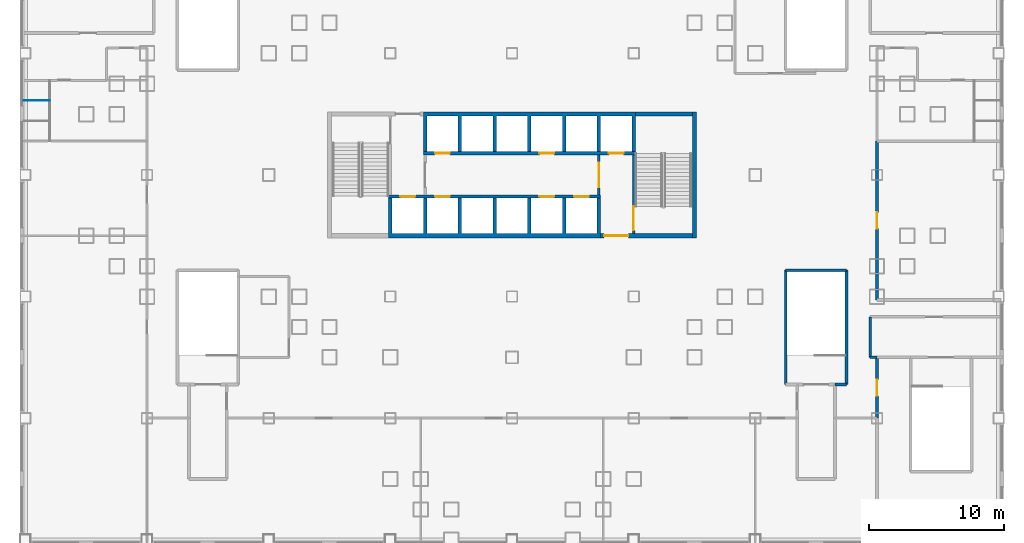
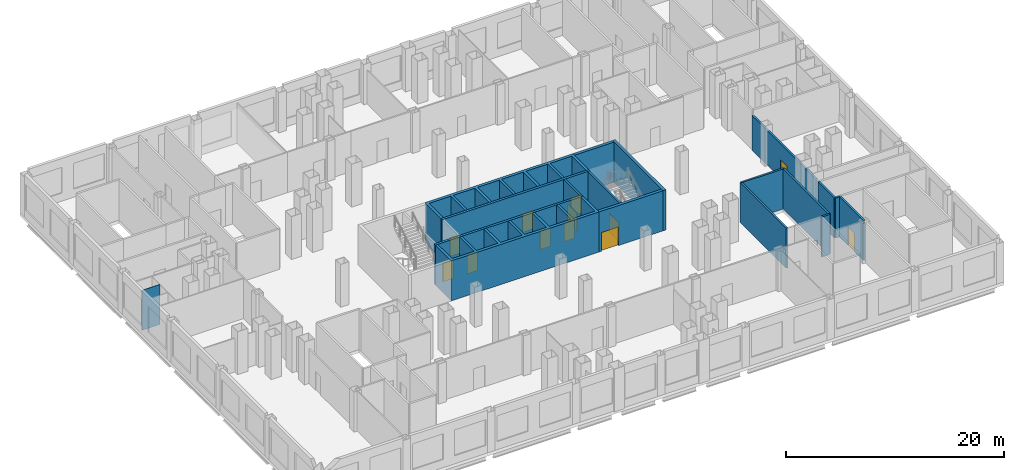
# One storey, part 4 of 13: 18 walls, 12 doors, 12 openings.
"""IFC4 building model written with IfcOpenShell, lengths in metres."""

from ifc_helpers import new_model, si_unit, direction, frame, frame_2d, origin, place, context, subcontext, project, spatial, polyline, rectangle, outline, extrude, material, layer, layer_set, type_object, element, fill, save


model = new_model("IFC4")

# Units and contexts
model_context = context("Model", 3, precision=1e-05, world=origin(), true_north=direction((0.0, 1.0)))
body_context = subcontext(model_context, "Body", "Model", "MODEL_VIEW")
ifc_project = project(units=[si_unit("LENGTHUNIT", "METRE"), si_unit("AREAUNIT", "SQUARE_METRE"), si_unit("VOLUMEUNIT", "CUBIC_METRE"), si_unit("PLANEANGLEUNIT", "RADIAN"), si_unit("MASSUNIT", "GRAM", prefix="KILO")], contexts=[model_context])

# Site, building, storey
site_placement = place(None, origin())
site = spatial("IfcSite", under=ifc_project, at=site_placement, CompositionType="ELEMENT")
building_placement = place(site_placement, origin())
building = spatial("IfcBuilding", under=site, at=building_placement, Name="Caravel Reach Hotel and Residences", CompositionType="ELEMENT")
storey_placement = place(building_placement, frame((0.0, 0.0, 28.800048828125)))
storey = spatial("IfcBuildingStorey", under=building, at=storey_placement, Name="L05", CompositionType="ELEMENT", Elevation=28.800048828125)

# Walls
ifc_material_1 = material(Name="Autoclaved aerated block wall")
ifc_layer_1 = layer(ifc_material_1, 0.199951171875)
ifc_layer_set_1 = layer_set([ifc_layer_1], Name="Compartment wall 200 mm EI 120")
wall_type_1 = type_object("IfcWallType", Name="Compartment wall 200 mm EI 120", PredefinedType="PARTITIONING", material=ifc_layer_set_1)
wall_1_placement = place(storey_placement, frame((58.0, 13.5, 0.0), z_axis=(0.0, 0.0, 1.0), x_axis=(1.0, 0.0, 0.0)))
element("IfcWall", 1, at=wall_1_placement, inside=storey, type_object=wall_type_1, Name="L05 wall w044", PredefinedType="PARTITIONING", context=body_context, shape_type="SweptSolid", body=[
    extrude(rectangle(XDim=0.5, YDim=0.199951171875, at=frame_2d((0.25, 0.0))), origin(), (0.0, 0.0, 1.0), 4.5),
])
wall_2_placement = place(storey_placement, frame((58.0, 13.5, 0.0), z_axis=(0.0, 0.0, 1.0), x_axis=(0.0, 1.0, 0.0)))
element("IfcWall", 2, at=wall_2_placement, inside=storey, type_object=wall_type_1, Name="L05 wall w075", PredefinedType="PARTITIONING", context=body_context, shape_type="SweptSolid", body=[
    extrude(rectangle(XDim=3.0, YDim=0.199951171875, at=frame_2d((1.5, 0.0))), origin(), (0.0, 0.0, 1.0), 4.5),
])

# Wall, opening, door
wall_3_placement = place(storey_placement, frame((58.5, 9.0, 0.0), z_axis=(0.0, 0.0, 1.0), x_axis=(0.0, 1.0, 0.0)))
wall_3 = element("IfcWall", 3, at=wall_3_placement, inside=storey, type_object=wall_type_1, Name="L05 wall w076", PredefinedType="PARTITIONING", context=body_context, shape_type="SweptSolid", body=[
    extrude(rectangle(XDim=4.5, YDim=0.199951171875, at=frame_2d((2.25, 0.0))), origin(), (0.0, 0.0, 1.0), 4.5),
])
opening_1_placement = place(wall_3_placement, frame((1.64990234375, 0.0, 0.0)))
opening_1 = element("IfcOpeningElement", 4, at=opening_1_placement, cuts=wall_3, Name="Opening D05-033", PredefinedType="OPENING", context=body_context, shape_type="SweptSolid", body=[
    extrude(rectangle(XDim=1.199951171875, YDim=2.10009765625, at=frame_2d((0.60009765625, 1.050048828125))), frame((0.0, 0.10986328125, 0.0), z_axis=(0.0, -1.0, 0.0), x_axis=(1.0, 0.0, 0.0)), (0.0, 0.0, 1.0), 0.219970703125),
])
ifc_material_2 = material(Name="Steel fire door leaf", Category="steel")
door_type_1 = type_object("IfcDoorType", Name="Plant room door 1200 x 2100 EI 60", OperationType="SINGLE_SWING_LEFT", PredefinedType="DOOR", material=ifc_material_2)
door_1_placement = place(opening_1_placement, origin())
door_1 = element("IfcDoor", 5, at=door_1_placement, inside=storey, type_object=door_type_1, Name="door D05-033", OperationType="SINGLE_SWING_LEFT", OverallHeight=2.10009765625, OverallWidth=1.199951171875, PredefinedType="DOOR", context=body_context, shape_type="SweptSolid", body=[
    extrude(rectangle(XDim=1.199951171875, YDim=2.10009765625, at=frame_2d((0.60009765625, 1.050048828125))), frame((0.0, 0.02490234375, 0.0), z_axis=(0.0, -1.0, 0.0), x_axis=(1.0, 0.0, 0.0)), (0.0, 0.0, 1.0), 0.050048828125),
])
fill(opening_1, door_1)

wall_4_placement = place(storey_placement, frame((58.5, 17.75, 0.0), z_axis=(0.0, 0.0, 1.0), x_axis=(0.0, 1.0, 0.0)))
wall_4 = element("IfcWall", 6, at=wall_4_placement, inside=storey, type_object=wall_type_1, Name="L05 wall w078", PredefinedType="PARTITIONING", context=body_context, shape_type="SweptSolid", body=[
    extrude(rectangle(XDim=11.75, YDim=0.199951171875, at=frame_2d((5.875, 0.0))), origin(), (0.0, 0.0, 1.0), 3.8798828125),
])
opening_2_placement = place(wall_4_placement, frame((5.27490234375, 0.0, 0.0)))
opening_2 = element("IfcOpeningElement", 7, at=opening_2_placement, cuts=wall_4, Name="Opening D05-034", PredefinedType="OPENING", context=body_context, shape_type="SweptSolid", body=[
    extrude(rectangle(XDim=1.199951171875, YDim=2.10009765625, at=frame_2d((0.60009765625, 1.050048828125))), frame((0.0, 0.10986328125, 0.0), z_axis=(0.0, -1.0, 0.0), x_axis=(1.0, 0.0, 0.0)), (0.0, 0.0, 1.0), 0.219970703125),
])
door_2_placement = place(opening_2_placement, origin())
door_2 = element("IfcDoor", 8, at=door_2_placement, inside=storey, type_object=door_type_1, Name="door D05-034", OperationType="SINGLE_SWING_LEFT", OverallHeight=2.10009765625, OverallWidth=1.199951171875, PredefinedType="DOOR", context=body_context, shape_type="SweptSolid", body=[
    extrude(rectangle(XDim=1.199951171875, YDim=2.10009765625, at=frame_2d((0.60009765625, 1.050048828125))), frame((0.0, 0.02490234375, 0.0), z_axis=(0.0, -1.0, 0.0), x_axis=(1.0, 0.0, 0.0)), (0.0, 0.0, 1.0), 0.050048828125),
])
fill(opening_2, door_2)

ifc_material_3 = material(Name="Concrete C60", Category="concrete")
ifc_layer_2 = layer(ifc_material_3, 0.300048828125)
ifc_layer_set_2 = layer_set([ifc_layer_2], Name="Core wall 300 mm EI 120")
wall_type_2 = type_object("IfcWallType", Name="Core wall 300 mm EI 120", PredefinedType="SHEAR", material=ifc_layer_set_2)
wall_5_placement = place(storey_placement, frame((38.053466796875, 22.5, 0.0), z_axis=(0.0, 0.0, 1.0), x_axis=(1.0, 0.0, 0.0)))
wall_5 = element("IfcWall", 9, at=wall_5_placement, inside=storey, type_object=wall_type_2, Name="L05 core wall S2", PredefinedType="SHEAR", context=body_context, shape_type="SweptSolid", body=[
    extrude(rectangle(XDim=6.796630859375, YDim=0.300048828125, at=frame_2d((3.3984375, 0.0))), origin(), (0.0, 0.0, 1.0), 4.5),
])
opening_3_placement = place(wall_5_placement, frame((0.2607421875, 0.0, 0.0)))
opening_3 = element("IfcOpeningElement", 10, at=opening_3_placement, cuts=wall_5, Name="Opening D05-013", PredefinedType="OPENING", context=body_context, shape_type="SweptSolid", body=[
    extrude(rectangle(XDim=1.800048828125, YDim=2.10009765625, at=frame_2d((0.89990234375, 1.050048828125))), frame((0.0, 0.159912109375, 0.0), z_axis=(0.0, -1.0, 0.0), x_axis=(1.0, 0.0, 0.0)), (0.0, 0.0, 1.0), 0.320068359375),
])
ifc_material_4 = material(Name="Steel fire door leaf", Category="steel")
door_type_2 = type_object("IfcDoorType", Name="Fire lobby door pair 1800 x 2100 EI 90", OperationType="DOUBLE_DOOR_SINGLE_SWING", PredefinedType="DOOR", material=ifc_material_4)
door_3_placement = place(opening_3_placement, origin())
door_3 = element("IfcDoor", 11, at=door_3_placement, inside=storey, type_object=door_type_2, Name="lobby S door pair to corridor", OperationType="DOUBLE_DOOR_SINGLE_SWING", OverallHeight=2.10009765625, OverallWidth=1.800048828125, PredefinedType="DOOR", context=body_context, shape_type="SweptSolid", body=[
    extrude(rectangle(XDim=1.800048828125, YDim=2.10009765625, at=frame_2d((0.89990234375, 1.050048828125))), frame((0.0, 0.02490234375, 0.0), z_axis=(0.0, -1.0, 0.0), x_axis=(1.0, 0.0, 0.0)), (0.0, 0.0, 1.0), 0.050048828125),
])
fill(opening_3, door_3)

# Walls
wall_6_placement = place(storey_placement, frame((40.625, 31.5, 0.0), z_axis=(0.0, 0.0, 1.0), x_axis=(1.0, 0.0, 0.0)))
element("IfcWall", 12, at=wall_6_placement, inside=storey, type_object=wall_type_2, Name="L05 core wall N2", PredefinedType="SHEAR", context=body_context, shape_type="SweptSolid", body=[
    extrude(rectangle(XDim=4.22509765625, YDim=0.300048828125, at=frame_2d((2.112548828125, 0.0))), origin(), (0.0, 0.0, 1.0), 4.5),
])
wall_7_placement = place(storey_placement, frame((45.0, 22.35009765625, 0.0), z_axis=(0.0, 0.0, 1.0), x_axis=(0.0, 1.0, 0.0)))
element("IfcWall", 13, at=wall_7_placement, inside=storey, type_object=wall_type_2, Name="L05 core wall E", PredefinedType="SHEAR", context=body_context, shape_type="SweptSolid", body=[
    extrude(rectangle(XDim=9.2998046875, YDim=0.300048828125, at=frame_2d((4.64990234375, 0.0))), origin(), (0.0, 0.0, 1.0), 4.5),
])

# Wall, opening, door
ifc_material_5 = material(Name="Autoclaved aerated block wall")
ifc_layer_3 = layer(ifc_material_5, 0.199951171875)
ifc_layer_set_3 = layer_set([ifc_layer_3], Name="Fire lobby wall 200 mm EI 120")
wall_type_3 = type_object("IfcWallType", Name="Fire lobby wall 200 mm EI 120", PredefinedType="PARTITIONING", material=ifc_layer_set_3)
wall_8_placement = place(storey_placement, frame((37.928466796875, 25.52490234375, 0.0), z_axis=(0.0, 0.0, 1.0), x_axis=(0.0, 1.0, 0.0)))
wall_8 = element("IfcWall", 14, at=wall_8_placement, inside=storey, type_object=wall_type_3, Name="L05 lobby E wall", PredefinedType="PARTITIONING", context=body_context, shape_type="SweptSolid", body=[
    extrude(rectangle(XDim=2.9501953125, YDim=0.199951171875, at=frame_2d((1.47509765625, 0.0))), origin(), (0.0, 0.0, 1.0), 4.5),
])
opening_4_placement = place(wall_8_placement, frame((0.574951171875, 0.0, 0.0)))
opening_4 = element("IfcOpeningElement", 15, at=opening_4_placement, cuts=wall_8, Name="Opening D05-011", PredefinedType="OPENING", context=body_context, shape_type="SweptSolid", body=[
    extrude(rectangle(XDim=1.800048828125, YDim=2.10009765625, at=frame_2d((0.89990234375, 1.050048828125))), frame((0.0, 0.10986328125, 0.0), z_axis=(0.0, -1.0, 0.0), x_axis=(1.0, 0.0, 0.0)), (0.0, 0.0, 1.0), 0.219970703125),
])
door_4_placement = place(opening_4_placement, origin())
door_4 = element("IfcDoor", 16, at=door_4_placement, inside=storey, type_object=door_type_2, Name="lobby E door pair", OperationType="DOUBLE_DOOR_SINGLE_SWING", OverallHeight=2.10009765625, OverallWidth=1.800048828125, PredefinedType="DOOR", context=body_context, shape_type="SweptSolid", body=[
    extrude(rectangle(XDim=1.800048828125, YDim=2.10009765625, at=frame_2d((0.89990234375, 1.050048828125))), frame((0.0, 0.02490234375, 0.0), z_axis=(0.0, -1.0, 0.0), x_axis=(1.0, 0.0, 0.0)), (0.0, 0.0, 1.0), 0.050048828125),
])
fill(opening_4, door_4)

# Walls
ifc_material_6 = material(Name="Concrete C60", Category="concrete")
ifc_layer_4 = layer(ifc_material_6, 0.25)
ifc_layer_set_4 = layer_set([ifc_layer_4], Name="Shaft wall 250 mm EI 120")
wall_type_4 = type_object("IfcWallType", Name="Shaft wall 250 mm EI 120", PredefinedType="SHEAR", material=ifc_layer_set_4)
wall_9_placement = place(storey_placement, origin())
element("IfcWall", 17, at=wall_9_placement, inside=storey, type_object=wall_type_4, Name="L05 lift shaft wall S1", PredefinedType="SHEAR", context=body_context, shape_type="SweptSolid", body=[
    extrude(outline(polyline([(22.375, 22.35009765625), (38.053466796875, 22.35009765625), (38.053466796875, 25.27490234375), (37.803466796875, 25.27490234375), (37.803466796875, 22.64990234375), (35.482177734375, 22.64990234375), (35.482177734375, 25.27490234375), (35.232177734375, 25.27490234375), (35.232177734375, 22.64990234375), (32.91064453125, 22.64990234375), (32.91064453125, 25.27490234375), (32.66064453125, 25.27490234375), (32.66064453125, 22.64990234375), (30.33935546875, 22.64990234375), (30.33935546875, 25.27490234375), (30.08935546875, 25.27490234375), (30.08935546875, 22.64990234375), (27.767822265625, 22.64990234375), (27.767822265625, 25.27490234375), (27.517822265625, 25.27490234375), (27.517822265625, 22.64990234375), (25.196533203125, 22.64990234375), (25.196533203125, 25.27490234375), (24.946533203125, 25.27490234375), (24.946533203125, 22.64990234375), (22.625, 22.64990234375), (22.625, 25.27490234375), (22.375, 25.27490234375), (22.375, 22.35009765625)])), origin(), (0.0, 0.0, 1.0), 4.5),
])
wall_10_placement = place(storey_placement, origin())
element("IfcWall", 18, at=wall_10_placement, inside=storey, type_object=wall_type_4, Name="L05 lift shaft wall N1", PredefinedType="SHEAR", context=body_context, shape_type="SweptSolid", body=[
    extrude(outline(polyline([(24.946533203125, 28.72509765625), (25.196533203125, 28.72509765625), (25.196533203125, 31.35009765625), (27.517822265625, 31.35009765625), (27.517822265625, 28.72509765625), (27.767822265625, 28.72509765625), (27.767822265625, 31.35009765625), (30.08935546875, 31.35009765625), (30.08935546875, 28.72509765625), (30.33935546875, 28.72509765625), (30.33935546875, 31.35009765625), (32.66064453125, 31.35009765625), (32.66064453125, 28.72509765625), (32.91064453125, 28.72509765625), (32.91064453125, 31.35009765625), (35.232177734375, 31.35009765625), (35.232177734375, 28.72509765625), (35.482177734375, 28.72509765625), (35.482177734375, 31.35009765625), (37.803466796875, 31.35009765625), (37.803466796875, 28.72509765625), (38.053466796875, 28.72509765625), (38.053466796875, 31.35009765625), (40.375, 31.35009765625), (40.375, 28.72509765625), (40.625, 28.72509765625), (40.625, 31.64990234375), (24.946533203125, 31.64990234375), (24.946533203125, 28.72509765625)])), origin(), (0.0, 0.0, 1.0), 4.5),
])

# Wall, openings, doors
wall_11_placement = place(storey_placement, frame((22.375, 25.39990234375, 0.0), z_axis=(0.0, 0.0, 1.0), x_axis=(1.0, 0.0, 0.0)))
wall_11 = element("IfcWall", 19, at=wall_11_placement, inside=storey, type_object=wall_type_4, Name="L05 lobby wall S1", PredefinedType="SHEAR", context=body_context, shape_type="SweptSolid", body=[
    extrude(rectangle(XDim=15.678466796875, YDim=0.25, at=frame_2d((7.83935546875, 0.0))), origin(), (0.0, 0.0, 1.0), 4.5),
])
opening_5_placement = place(wall_11_placement, frame((3.43212890625, 0.0, 0.0)))
opening_5 = element("IfcOpeningElement", 20, at=opening_5_placement, cuts=wall_11, Name="Opening D05-001", PredefinedType="OPENING", context=body_context, shape_type="SweptSolid", body=[
    extrude(rectangle(XDim=1.10009765625, YDim=2.10009765625, at=frame_2d((0.550048828125, 1.050048828125))), frame((0.0, 0.135009765625, 0.0), z_axis=(0.0, -1.0, 0.0), x_axis=(1.0, 0.0, 0.0)), (0.0, 0.0, 1.0), 0.27001953125),
])
opening_6_placement = place(wall_11_placement, frame((11.146484375, 0.0, 0.0)))
opening_6 = element("IfcOpeningElement", 21, at=opening_6_placement, cuts=wall_11, Name="Opening D05-002", PredefinedType="OPENING", context=body_context, shape_type="SweptSolid", body=[
    extrude(rectangle(XDim=1.10009765625, YDim=2.10009765625, at=frame_2d((0.550048828125, 1.050048828125))), frame((0.0, 0.135009765625, 0.0), z_axis=(0.0, -1.0, 0.0), x_axis=(1.0, 0.0, 0.0)), (0.0, 0.0, 1.0), 0.27001953125),
])
opening_7_placement = place(wall_11_placement, frame((13.718017578125, 0.0, 0.0)))
opening_7 = element("IfcOpeningElement", 22, at=opening_7_placement, cuts=wall_11, Name="Opening D05-003", PredefinedType="OPENING", context=body_context, shape_type="SweptSolid", body=[
    extrude(rectangle(XDim=1.10009765625, YDim=2.10009765625, at=frame_2d((0.550048828125, 1.050048828125))), frame((0.0, 0.135009765625, 0.0), z_axis=(0.0, -1.0, 0.0), x_axis=(1.0, 0.0, 0.0)), (0.0, 0.0, 1.0), 0.27001953125),
])
opening_8_placement = place(wall_11_placement, frame((0.860595703125, 0.0, 0.0)))
opening_8 = element("IfcOpeningElement", 23, at=opening_8_placement, cuts=wall_11, Name="Opening D05-006", PredefinedType="OPENING", context=body_context, shape_type="SweptSolid", body=[
    extrude(rectangle(XDim=1.10009765625, YDim=2.10009765625, at=frame_2d((0.550048828125, 1.050048828125))), frame((0.0, 0.135009765625, 0.0), z_axis=(0.0, -1.0, 0.0), x_axis=(1.0, 0.0, 0.0)), (0.0, 0.0, 1.0), 0.27001953125),
])
ifc_material_7 = material(Name="Stainless steel landing door", Category="steel")
door_type_3 = type_object("IfcDoorType", Name="Landing door LD 1100 x 2100 sliding", OperationType="DOUBLE_DOOR_SLIDING", PredefinedType="DOOR", material=ifc_material_7)
door_5_placement = place(opening_5_placement, origin())
door_5 = element("IfcDoor", 24, at=door_5_placement, inside=storey, type_object=door_type_3, Name="LP1 landing door", OperationType="DOUBLE_DOOR_SLIDING", OverallHeight=2.10009765625, OverallWidth=1.10009765625, PredefinedType="DOOR", context=body_context, shape_type="SweptSolid", body=[
    extrude(rectangle(XDim=1.10009765625, YDim=2.10009765625, at=frame_2d((0.550048828125, 1.050048828125))), frame((0.0, 0.02490234375, 0.0), z_axis=(0.0, -1.0, 0.0), x_axis=(1.0, 0.0, 0.0)), (0.0, 0.0, 1.0), 0.050048828125),
])
fill(opening_5, door_5)
door_6_placement = place(opening_6_placement, origin())
door_6 = element("IfcDoor", 25, at=door_6_placement, inside=storey, type_object=door_type_3, Name="LP2 landing door", OperationType="DOUBLE_DOOR_SLIDING", OverallHeight=2.10009765625, OverallWidth=1.10009765625, PredefinedType="DOOR", context=body_context, shape_type="SweptSolid", body=[
    extrude(rectangle(XDim=1.10009765625, YDim=2.10009765625, at=frame_2d((0.550048828125, 1.050048828125))), frame((0.0, 0.02490234375, 0.0), z_axis=(0.0, -1.0, 0.0), x_axis=(1.0, 0.0, 0.0)), (0.0, 0.0, 1.0), 0.050048828125),
])
fill(opening_6, door_6)
door_7_placement = place(opening_7_placement, origin())
door_7 = element("IfcDoor", 26, at=door_7_placement, inside=storey, type_object=door_type_3, Name="LP3 landing door", OperationType="DOUBLE_DOOR_SLIDING", OverallHeight=2.10009765625, OverallWidth=1.10009765625, PredefinedType="DOOR", context=body_context, shape_type="SweptSolid", body=[
    extrude(rectangle(XDim=1.10009765625, YDim=2.10009765625, at=frame_2d((0.550048828125, 1.050048828125))), frame((0.0, 0.02490234375, 0.0), z_axis=(0.0, -1.0, 0.0), x_axis=(1.0, 0.0, 0.0)), (0.0, 0.0, 1.0), 0.050048828125),
])
fill(opening_7, door_7)
door_8_placement = place(opening_8_placement, origin())
door_8 = element("IfcDoor", 27, at=door_8_placement, inside=storey, type_object=door_type_3, Name="FL1 landing door", OperationType="DOUBLE_DOOR_SLIDING", OverallHeight=2.10009765625, OverallWidth=1.10009765625, PredefinedType="DOOR", context=body_context, shape_type="SweptSolid", body=[
    extrude(rectangle(XDim=1.10009765625, YDim=2.10009765625, at=frame_2d((0.550048828125, 1.050048828125))), frame((0.0, 0.02490234375, 0.0), z_axis=(0.0, -1.0, 0.0), x_axis=(1.0, 0.0, 0.0)), (0.0, 0.0, 1.0), 0.050048828125),
])
fill(opening_8, door_8)

wall_12_placement = place(storey_placement, frame((24.946533203125, 28.60009765625, 0.0), z_axis=(0.0, 0.0, 1.0), x_axis=(1.0, 0.0, 0.0)))
wall_12 = element("IfcWall", 28, at=wall_12_placement, inside=storey, type_object=wall_type_4, Name="L05 lobby wall N1", PredefinedType="SHEAR", context=body_context, shape_type="SweptSolid", body=[
    extrude(rectangle(XDim=15.678466796875, YDim=0.25, at=frame_2d((7.83935546875, 0.0))), origin(), (0.0, 0.0, 1.0), 4.5),
])
opening_9_placement = place(wall_12_placement, frame((0.860595703125, 0.0, 0.0)))
opening_9 = element("IfcOpeningElement", 29, at=opening_9_placement, cuts=wall_12, Name="Opening D05-004", PredefinedType="OPENING", context=body_context, shape_type="SweptSolid", body=[
    extrude(rectangle(XDim=1.10009765625, YDim=2.10009765625, at=frame_2d((0.550048828125, 1.050048828125))), frame((0.0, 0.135009765625, 0.0), z_axis=(0.0, -1.0, 0.0), x_axis=(1.0, 0.0, 0.0)), (0.0, 0.0, 1.0), 0.27001953125),
])
opening_10_placement = place(wall_12_placement, frame((8.574951171875, 0.0, 0.0)))
opening_10 = element("IfcOpeningElement", 30, at=opening_10_placement, cuts=wall_12, Name="Opening D05-005", PredefinedType="OPENING", context=body_context, shape_type="SweptSolid", body=[
    extrude(rectangle(XDim=1.10009765625, YDim=2.10009765625, at=frame_2d((0.550048828125, 1.050048828125))), frame((0.0, 0.135009765625, 0.0), z_axis=(0.0, -1.0, 0.0), x_axis=(1.0, 0.0, 0.0)), (0.0, 0.0, 1.0), 0.27001953125),
])
opening_11_placement = place(wall_12_placement, frame((13.718017578125, 0.0, 0.0)))
opening_11 = element("IfcOpeningElement", 31, at=opening_11_placement, cuts=wall_12, Name="Opening D05-007", PredefinedType="OPENING", context=body_context, shape_type="SweptSolid", body=[
    extrude(rectangle(XDim=1.10009765625, YDim=2.10009765625, at=frame_2d((0.550048828125, 1.050048828125))), frame((0.0, 0.135009765625, 0.0), z_axis=(0.0, -1.0, 0.0), x_axis=(1.0, 0.0, 0.0)), (0.0, 0.0, 1.0), 0.27001953125),
])
door_9_placement = place(opening_9_placement, origin())
door_9 = element("IfcDoor", 32, at=door_9_placement, inside=storey, type_object=door_type_3, Name="LP4 landing door", OperationType="DOUBLE_DOOR_SLIDING", OverallHeight=2.10009765625, OverallWidth=1.10009765625, PredefinedType="DOOR", context=body_context, shape_type="SweptSolid", body=[
    extrude(rectangle(XDim=1.10009765625, YDim=2.10009765625, at=frame_2d((0.550048828125, 1.050048828125))), frame((0.0, 0.02490234375, 0.0), z_axis=(0.0, -1.0, 0.0), x_axis=(1.0, 0.0, 0.0)), (0.0, 0.0, 1.0), 0.050048828125),
])
fill(opening_9, door_9)
door_10_placement = place(opening_10_placement, origin())
door_10 = element("IfcDoor", 33, at=door_10_placement, inside=storey, type_object=door_type_3, Name="LP5 landing door", OperationType="DOUBLE_DOOR_SLIDING", OverallHeight=2.10009765625, OverallWidth=1.10009765625, PredefinedType="DOOR", context=body_context, shape_type="SweptSolid", body=[
    extrude(rectangle(XDim=1.10009765625, YDim=2.10009765625, at=frame_2d((0.550048828125, 1.050048828125))), frame((0.0, 0.02490234375, 0.0), z_axis=(0.0, -1.0, 0.0), x_axis=(1.0, 0.0, 0.0)), (0.0, 0.0, 1.0), 0.050048828125),
])
fill(opening_10, door_10)
door_11_placement = place(opening_11_placement, origin())
door_11 = element("IfcDoor", 34, at=door_11_placement, inside=storey, type_object=door_type_3, Name="FL2 landing door", OperationType="DOUBLE_DOOR_SLIDING", OverallHeight=2.10009765625, OverallWidth=1.10009765625, PredefinedType="DOOR", context=body_context, shape_type="SweptSolid", body=[
    extrude(rectangle(XDim=1.10009765625, YDim=2.10009765625, at=frame_2d((0.550048828125, 1.050048828125))), frame((0.0, 0.02490234375, 0.0), z_axis=(0.0, -1.0, 0.0), x_axis=(1.0, 0.0, 0.0)), (0.0, 0.0, 1.0), 0.050048828125),
])
fill(opening_11, door_11)

# Wall, opening, door
ifc_material_8 = material(Name="Concrete C60", Category="concrete")
ifc_layer_5 = layer(ifc_material_8, 0.199951171875)
ifc_layer_set_5 = layer_set([ifc_layer_5], Name="Stair enclosure wall 200 mm EI 120")
wall_type_5 = type_object("IfcWallType", Name="Stair enclosure wall 200 mm EI 120", PredefinedType="SHEAR", material=ifc_layer_set_5)
wall_13_placement = place(storey_placement, frame((40.5, 22.64990234375, 0.0), z_axis=(0.0, 0.0, 1.0), x_axis=(0.0, 1.0, 0.0)))
wall_13 = element("IfcWall", 35, at=wall_13_placement, inside=storey, type_object=wall_type_5, Name="L05 stair B wall", PredefinedType="SHEAR", context=body_context, shape_type="SweptSolid", body=[
    extrude(rectangle(XDim=5.8251953125, YDim=0.199951171875, at=frame_2d((2.91259765625, 0.0))), origin(), (0.0, 0.0, 1.0), 4.5),
])
opening_12_placement = place(wall_13_placement, frame((0.25, 0.0, 0.0)))
opening_12 = element("IfcOpeningElement", 36, at=opening_12_placement, cuts=wall_13, Name="Opening D05-009", PredefinedType="OPENING", context=body_context, shape_type="SweptSolid", body=[
    extrude(rectangle(XDim=1.800048828125, YDim=2.10009765625, at=frame_2d((0.89990234375, 1.050048828125))), frame((0.0, 0.10986328125, 0.0), z_axis=(0.0, -1.0, 0.0), x_axis=(1.0, 0.0, 0.0)), (0.0, 0.0, 1.0), 0.219970703125),
])
ifc_material_9 = material(Name="Steel fire door leaf", Category="steel")
door_type_4 = type_object("IfcDoorType", Name="Stair door pair 1800 x 2100 EI 90", OperationType="DOUBLE_DOOR_SINGLE_SWING", PredefinedType="DOOR", material=ifc_material_9)
door_12_placement = place(opening_12_placement, origin())
door_12 = element("IfcDoor", 37, at=door_12_placement, inside=storey, type_object=door_type_4, Name="stair B door pair", OperationType="DOUBLE_DOOR_SINGLE_SWING", OverallHeight=2.10009765625, OverallWidth=1.800048828125, PredefinedType="DOOR", context=body_context, shape_type="SweptSolid", body=[
    extrude(rectangle(XDim=1.800048828125, YDim=2.10009765625, at=frame_2d((0.89990234375, 1.050048828125))), frame((0.0, 0.02490234375, 0.0), z_axis=(0.0, -1.0, 0.0), x_axis=(1.0, 0.0, 0.0)), (0.0, 0.0, 1.0), 0.050048828125),
])
fill(opening_12, door_12)

# Walls
wall_14_placement = place(storey_placement, frame((55.39990234375, 11.5, 0.0), z_axis=(0.0, 0.0, 1.0), x_axis=(1.0, 0.0, 0.0)))
element("IfcWall", 38, at=wall_14_placement, inside=storey, type_object=wall_type_5, Name="L05 wall w086", PredefinedType="SHEAR", context=body_context, shape_type="SweptSolid", body=[
    extrude(rectangle(XDim=0.85009765625, YDim=0.199951171875, at=frame_2d((0.425048828125, 0.0))), origin(), (0.0, 0.0, 1.0), 4.5),
])
wall_15_placement = place(storey_placement, frame((51.75, 19.949951171875, 0.0), z_axis=(0.0, 0.0, 1.0), x_axis=(1.0, 0.0, 0.0)))
element("IfcWall", 39, at=wall_15_placement, inside=storey, type_object=wall_type_5, Name="L05 wall w090", PredefinedType="SHEAR", context=body_context, shape_type="SweptSolid", body=[
    extrude(rectangle(XDim=4.5, YDim=0.199951171875, at=frame_2d((2.25, 0.0))), origin(), (0.0, 0.0, 1.0), 4.5),
])
for number, where, z_axis, x_axis, name in (
    (40, (51.75, 11.5, 0.0), (0.0, 0.0, 1.0), (0.0, 1.0, 0.0), "L05 wall w113"),
    (41, (56.25, 11.5, 0.0), (0.0, 0.0, 1.0), (0.0, 1.0, 0.0), "L05 wall w115"),
):
    element("IfcWall", number, at=place(storey_placement, frame(where, z_axis=z_axis, x_axis=x_axis)), inside=storey, type_object=wall_type_5, Name=name, PredefinedType="SHEAR", context=body_context, shape_type="SweptSolid", body=[
        extrude(rectangle(XDim=8.449951171875, YDim=0.199951171875, at=frame_2d((4.22509765625, 0.0))), origin(), (0.0, 0.0, 1.0), 4.5),
    ])
ifc_material_10 = material(Name="Laminate cubicle panel")
ifc_layer_6 = layer(ifc_material_10, 0.0400390625)
ifc_layer_set_6 = layer_set([ifc_layer_6], Name="WC cubicle partition 40 mm")
wall_type_6 = type_object("IfcWallType", Name="WC cubicle partition 40 mm", PredefinedType="PARTITIONING", material=ifc_layer_set_6)
wall_16_placement = place(storey_placement, frame((-4.6201171875, 32.5, 0.0), z_axis=(0.0, 0.0, 1.0), x_axis=(1.0, 0.0, 0.0)))
element("IfcWall", 42, at=wall_16_placement, inside=storey, type_object=wall_type_6, Name="L05 wall cbr03.d2", PredefinedType="PARTITIONING", context=body_context, shape_type="SweptSolid", body=[
    extrude(rectangle(XDim=1.920166015625, YDim=0.0400390625, at=frame_2d((0.9599609375, 0.0))), origin(), (0.0, 0.0, 1.0), 4.5),
])

save(model, "model.ifc")
